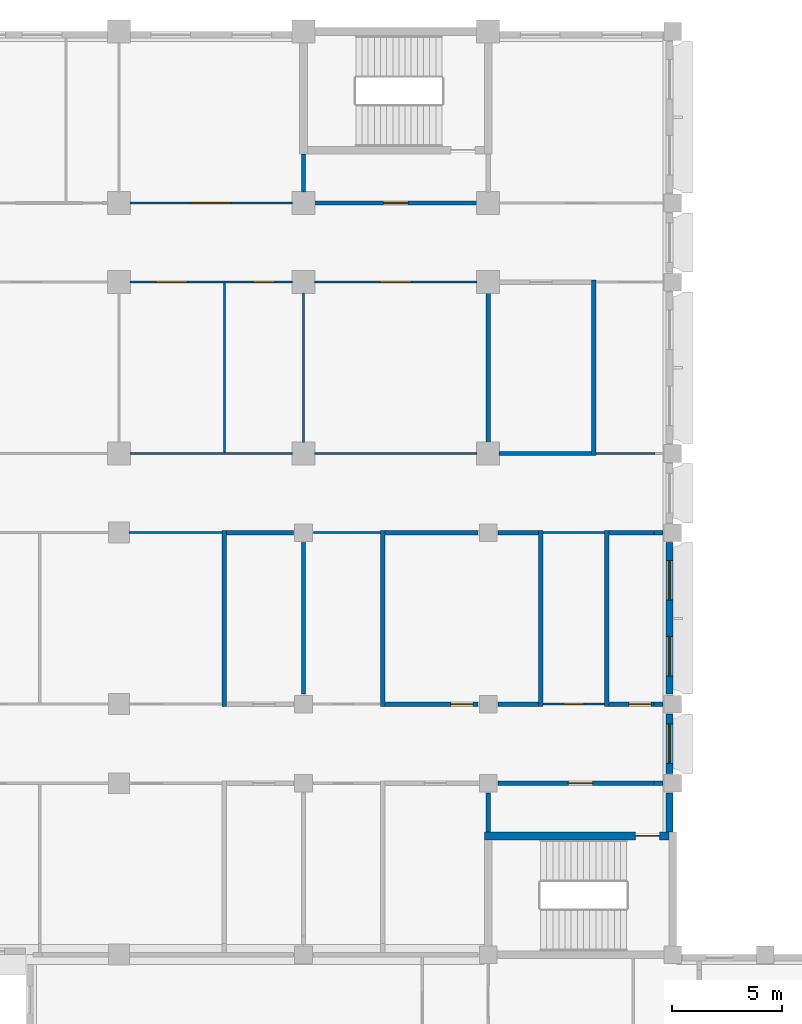
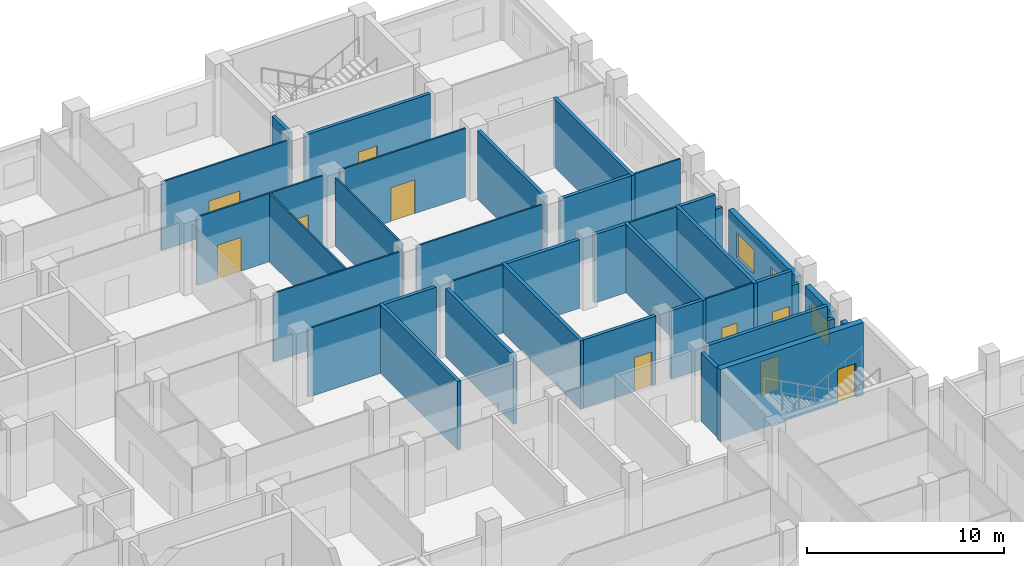
# One storey, part 88 of 136: 38 walls, 10 doors, 3 windows, 13 openings.
"""IFC4 building model written with IfcOpenShell, lengths in metres."""

import ifcopenshell
import ifcopenshell.guid

model = None  # the IFC model being written
_history = None  # IfcOwnerHistory: only IFC2X3 demands one
_inside = {}  # id of a spatial element -> (the spatial element, [elements in it])
_under = {}  # id of a project, library or spatial element -> (it, [spatial elements below it])
_declared = {}  # id of a project -> (the project, [libraries it declares])
_typed = {}  # id of a type object -> (the type object, [elements of that type])
_made_of = {}  # id of a material, layer set ... -> (it, [elements and type objects made of it])


def new_model(schema):
    """Start an empty IFC model of exactly this schema.

    Asked for "IFC4X3", IfcOpenShell would pick the latest addendum, in which some entities
    have other attributes; the version numbers below select the first issue.
    IFC2X3 requires an IfcOwnerHistory on every rooted entity: one is made here for all.
    """
    global model, _history
    if schema == "IFC4X3":
        model = ifcopenshell.file(schema_version=(4, 3, 0, 0))
    else:
        model = ifcopenshell.file(schema=schema)
    _inside.clear()
    _under.clear()
    _declared.clear()
    _typed.clear()
    _made_of.clear()
    _history = None
    if model.schema == "IFC2X3":
        org = make("IfcOrganization", Name="unknown")
        user = make(
            "IfcPersonAndOrganization",
            ThePerson=make("IfcPerson", FamilyName="unknown"),
            TheOrganization=org,
        )
        app = make(
            "IfcApplication",
            ApplicationDeveloper=org,
            Version="unknown",
            ApplicationFullName="unknown",
            ApplicationIdentifier="unknown",
        )
        _history = make(
            "IfcOwnerHistory",
            OwningUser=user,
            OwningApplication=app,
            ChangeAction="ADDED",
            CreationDate=0,
        )
    return model


def make(cls, **values):
    """One entity of the class cls with the attributes given. An attribute that is None is left unset."""
    return model.create_entity(
        cls, **{name: value for name, value in values.items() if value is not None}
    )


def rooted(cls, **values):
    """An entity with a GlobalId (a new one), such as an element, a storey or a relation."""
    return make(cls, GlobalId=ifcopenshell.guid.new(), OwnerHistory=_history, **values)


def si_unit(unit_type, name, prefix=None):
    """IfcSIUnit, for example si_unit("LENGTHUNIT", "METRE", prefix="MILLI")."""
    return make("IfcSIUnit", UnitType=unit_type, Prefix=prefix, Name=name)


def assignment(units):
    """IfcUnitAssignment: the units of a project."""
    return None if units is None else make("IfcUnitAssignment", Units=units)


def point(xyz):
    """IfcCartesianPoint."""
    return None if xyz is None else make("IfcCartesianPoint", Coordinates=xyz)


def direction(xyz):
    """IfcDirection."""
    return None if xyz is None else make("IfcDirection", DirectionRatios=xyz)


def frame(location, z_axis=None, x_axis=None):
    """IfcAxis2Placement3D, a coordinate frame: its origin and axes. An axis left out is left unset."""
    return make(
        "IfcAxis2Placement3D",
        Location=point(location),
        Axis=direction(z_axis),
        RefDirection=direction(x_axis),
    )


def frame_2d(location, x_axis=None):
    """IfcAxis2Placement2D, a coordinate frame in the plane: its origin and x axis."""
    return make(
        "IfcAxis2Placement2D", Location=point(location), RefDirection=direction(x_axis)
    )


def origin():
    """The frame at (0, 0, 0) with its axes left unset."""
    return frame((0.0, 0.0, 0.0))


def place(relative_to, where):
    """IfcLocalPlacement: puts the frame where relative to a parent placement (None: the world)."""
    return make(
        "IfcLocalPlacement", PlacementRelTo=relative_to, RelativePlacement=where
    )


def context(
    kind, dimensions, precision=None, world=None, true_north=None, identifier=None
):
    """IfcGeometricRepresentationContext, for example the 3D "Model" context."""
    return make(
        "IfcGeometricRepresentationContext",
        ContextIdentifier=identifier,
        ContextType=kind,
        CoordinateSpaceDimension=dimensions,
        Precision=precision,
        WorldCoordinateSystem=world,
        TrueNorth=true_north,
    )


def subcontext(parent, identifier, kind, view, scale=None):
    """IfcGeometricRepresentationSubContext, for example "Body" below "Model"."""
    return make(
        "IfcGeometricRepresentationSubContext",
        ContextIdentifier=identifier,
        ContextType=kind,
        ParentContext=parent,
        TargetScale=scale,
        TargetView=view,
    )


def project(units=None, contexts=None):
    """IfcProject with its units and contexts."""
    return rooted(
        "IfcProject",
        Name="project",
        RepresentationContexts=contexts,
        UnitsInContext=assignment(units),
    )


def spatial(cls, under=None, at=None, **own):
    """A site, building, storey or space (cls), placed at a placement, below another one or the project."""
    s = rooted(cls, ObjectPlacement=at, **own)
    if under is not None:
        _under.setdefault(under.id(), (under, []))[1].append(s)
    return s


def profile(cls, at=None, kind="AREA", **sizes):
    """A parametric profile (cls). Its sizes go by their IFC names, for example OverallWidth=200.0."""
    return make(cls, ProfileType=kind, Position=at, **sizes)


def rectangle(**sizes):
    """IfcRectangleProfileDef."""
    return profile("IfcRectangleProfileDef", **sizes)


def extrude(swept, where, along, depth):
    """IfcExtrudedAreaSolid: the profile swept, set in the frame where, extruded along a direction by depth."""
    return make(
        "IfcExtrudedAreaSolid",
        SweptArea=swept,
        Position=where,
        ExtrudedDirection=direction(along),
        Depth=depth,
    )


def shape(context_of_items, identifier, shape_type, items):
    """IfcShapeRepresentation: the items that make up one representation, for example the "Body"."""
    return make(
        "IfcShapeRepresentation",
        ContextOfItems=context_of_items,
        RepresentationIdentifier=identifier,
        RepresentationType=shape_type,
        Items=items,
    )


def material(Name=None, Category=None):
    """IfcMaterial."""
    return make("IfcMaterial", Name=Name, Category=Category)


def layer(
    of_material, thickness, ventilated=None, Name=None, Category=None, Priority=None
):
    """IfcMaterialLayer: one layer of a wall or slab, of a material (None: an air gap)."""
    return make(
        "IfcMaterialLayer",
        Material=of_material,
        LayerThickness=thickness,
        IsVentilated=ventilated,
        Name=Name,
        Category=Category,
        Priority=Priority,
    )


def layer_set(layers, Name=None):
    """IfcMaterialLayerSet."""
    return make("IfcMaterialLayerSet", MaterialLayers=layers, LayerSetName=Name)


def made_of(thing, what):
    """Note that an element or type object is made of a material, layer set ...; save() writes the relation."""
    if what is not None:
        _made_of.setdefault(what.id(), (what, []))[1].append(thing)
    return thing


def type_object(cls, material=None, **own):
    """A type object (cls), such as IfcWallType, which elements share."""
    return made_of(rooted(cls, **own), material)


def element(
    cls,
    number,
    at=None,
    inside=None,
    cuts=None,
    type_object=None,
    material=None,
    context=None,
    identifier="Body",
    shape_type=None,
    held_by="IfcProductDefinitionShape",
    body=None,
    shapes=None,
    **own,
):
    """One element of the class cls, such as IfcWall. Its Tag is "e" and its number.

    at: its placement. inside: the storey or other place that contains it. cuts: it is an
    opening in that element (IfcRelVoidsElement). A single representation is given by context,
    identifier, shape_type and body (its items); several are given by shapes. held_by: the class
    of the entity that holds the representations. save() writes the other relations.
    """
    e = rooted(cls, Tag="e%d" % number, ObjectPlacement=at, **own)
    if body is not None:
        shapes = [shape(context, identifier, shape_type, body)]
    if shapes is not None:
        e.Representation = make(held_by, Representations=shapes)
    if inside is not None:
        _inside.setdefault(inside.id(), (inside, []))[1].append(e)
    if cuts is not None:
        rooted(
            "IfcRelVoidsElement", RelatingBuildingElement=cuts, RelatedOpeningElement=e
        )
    if type_object is not None:
        _typed.setdefault(type_object.id(), (type_object, []))[1].append(e)
    return made_of(e, material)


def fill(opening, filler):
    """IfcRelFillsElement: the door or window that sits in an opening."""
    return rooted(
        "IfcRelFillsElement",
        RelatingOpeningElement=opening,
        RelatedBuildingElement=filler,
    )


def aggregate(whole, parts):
    """IfcRelAggregates: a whole, such as a stair, and the parts it consists of."""
    return rooted("IfcRelAggregates", RelatingObject=whole, RelatedObjects=parts)


def save(model, path):
    """Write the relations noted so far, then the file.

    IfcRelAggregates (storeys below a building ...), IfcRelContainedInSpatialStructure (elements
    in a storey), IfcRelDefinesByType, IfcRelAssociatesMaterial and IfcRelDeclares: one each for
    every whole, place, type object, material and project.
    """
    for whole, parts in _under.values():
        aggregate(whole, parts)
    for where, things in _inside.values():
        rooted(
            "IfcRelContainedInSpatialStructure",
            RelatedElements=things,
            RelatingStructure=where,
        )
    for kind, things in _typed.values():
        rooted("IfcRelDefinesByType", RelatedObjects=things, RelatingType=kind)
    for what, things in _made_of.values():
        rooted("IfcRelAssociatesMaterial", RelatedObjects=things, RelatingMaterial=what)
    for by, libraries in _declared.values():
        rooted("IfcRelDeclares", RelatingContext=by, RelatedDefinitions=libraries)
    model.write(path)


model = new_model("IFC4")

# Units and contexts
model_context = context("Model", 3, precision=1e-05, world=origin(), true_north=direction((0.0, 1.0)))
body_context = subcontext(model_context, "Body", "Model", "MODEL_VIEW")
ifc_project = project(units=[si_unit("LENGTHUNIT", "METRE"), si_unit("AREAUNIT", "SQUARE_METRE"), si_unit("VOLUMEUNIT", "CUBIC_METRE"), si_unit("PLANEANGLEUNIT", "RADIAN"), si_unit("MASSUNIT", "GRAM", prefix="KILO")], contexts=[model_context])

# Site, building, storey
site_placement = place(None, origin())
site = spatial("IfcSite", under=ifc_project, at=site_placement, CompositionType="ELEMENT")
building_placement = place(site_placement, origin())
building = spatial("IfcBuilding", under=site, at=building_placement, Name="Bougainvillea Quay General Hospital", CompositionType="ELEMENT")
storey_placement = place(building_placement, frame((0.0, 0.0, 5.39990234375)))
storey = spatial("IfcBuildingStorey", under=building, at=storey_placement, Name="L01", CompositionType="ELEMENT", Elevation=5.39990234375)

# Wall, opening, window
ifc_material_1 = material(Name="Pale stone rainscreen cladding on insulated masonry backing, pale stone", Category="masonry")
ifc_layer_1 = layer(ifc_material_1, 0.300048828125)
ifc_layer_set_1 = layer_set([ifc_layer_1], Name="Pale stone rainscreen cladding on insulated masonry backing, pale stone")
wall_type_1 = type_object("IfcWallType", Name="External wall pale stone rainscreen 300", PredefinedType="STANDARD", material=ifc_layer_set_1)
wall_1_placement = place(storey_placement, frame((193.050048828125, 125.85009765625, 0.0), z_axis=(0.0, 0.0, 1.0), x_axis=(0.0, 1.0, 0.0)))
wall_1 = element("IfcWall", 1, at=wall_1_placement, inside=storey, type_object=wall_type_1, Name="External wall wall/V4/L01/p0/00b", PredefinedType="STANDARD", context=body_context, shape_type="SweptSolid", body=[
    extrude(rectangle(XDim=2.699951171875, YDim=0.300048828125, at=frame_2d((1.35009765625, 0.0))), origin(), (0.0, 0.0, 1.0), 3.35009765625),
])
opening_1_placement = place(wall_1_placement, frame((0.449951171875, 0.0, 0.89990234375)))
opening_1 = element("IfcOpeningElement", 2, at=opening_1_placement, cuts=wall_1, Name="Opening W1", PredefinedType="OPENING", context=body_context, shape_type="SweptSolid", body=[
    extrude(rectangle(XDim=1.800048828125, YDim=1.5, at=frame_2d((0.89990234375, 0.75))), frame((0.0, 0.159912109375, 0.0), z_axis=(0.0, -1.0, 0.0), x_axis=(1.0, 0.0, 0.0)), (0.0, 0.0, 1.0), 0.320068359375),
])
ifc_material_2 = material(Name="Aluminium window frame with low-e double glazed unit", Category="aluminium")
window_type = type_object("IfcWindowType", Name="Window W1 1800x1500", PartitioningType="DOUBLE_PANEL_VERTICAL", PredefinedType="WINDOW", material=ifc_material_2)
window_1_placement = place(opening_1_placement, origin())
window_1 = element("IfcWindow", 3, at=window_1_placement, inside=storey, type_object=window_type, Name="Window W1 1", OverallHeight=1.5, OverallWidth=1.800048828125, PartitioningType="SINGLE_PANEL", PredefinedType="WINDOW", context=body_context, shape_type="SweptSolid", body=[
    extrude(rectangle(XDim=1.800048828125, YDim=1.5, at=frame_2d((0.89990234375, 0.75))), frame((0.0, 0.030029296875, 0.0), z_axis=(0.0, -1.0, 0.0), x_axis=(1.0, 0.0, 0.0)), (0.0, 0.0, 1.0), 0.06005859375),
])
fill(opening_1, window_1)

# Wall, openings, windows
wall_2_placement = place(storey_placement, frame((193.050048828125, 129.449951171875, 0.0), z_axis=(0.0, 0.0, 1.0), x_axis=(0.0, 1.0, 0.0)))
wall_2 = element("IfcWall", 4, at=wall_2_placement, inside=storey, type_object=wall_type_1, Name="External wall wall/V4/L01/p0/00c", PredefinedType="STANDARD", context=body_context, shape_type="SweptSolid", body=[
    extrude(rectangle(XDim=6.900146484375, YDim=0.300048828125, at=frame_2d((3.4501953125, 0.0))), origin(), (0.0, 0.0, 1.0), 3.35009765625),
])
opening_2_placement = place(wall_2_placement, frame((0.824951171875, 0.0, 0.89990234375)))
opening_2 = element("IfcOpeningElement", 5, at=opening_2_placement, cuts=wall_2, Name="Opening W1", PredefinedType="OPENING", context=body_context, shape_type="SweptSolid", body=[
    extrude(rectangle(XDim=1.800048828125, YDim=1.5, at=frame_2d((0.89990234375, 0.75))), frame((0.0, 0.159912109375, 0.0), z_axis=(0.0, -1.0, 0.0), x_axis=(1.0, 0.0, 0.0)), (0.0, 0.0, 1.0), 0.320068359375),
])
opening_3_placement = place(wall_2_placement, frame((4.27490234375, 0.0, 0.89990234375)))
opening_3 = element("IfcOpeningElement", 6, at=opening_3_placement, cuts=wall_2, Name="Opening W1", PredefinedType="OPENING", context=body_context, shape_type="SweptSolid", body=[
    extrude(rectangle(XDim=1.800048828125, YDim=1.5, at=frame_2d((0.89990234375, 0.75))), frame((0.0, 0.159912109375, 0.0), z_axis=(0.0, -1.0, 0.0), x_axis=(1.0, 0.0, 0.0)), (0.0, 0.0, 1.0), 0.320068359375),
])
window_2_placement = place(opening_2_placement, origin())
window_2 = element("IfcWindow", 7, at=window_2_placement, inside=storey, type_object=window_type, Name="Window W1 1", OverallHeight=1.5, OverallWidth=1.800048828125, PartitioningType="SINGLE_PANEL", PredefinedType="WINDOW", context=body_context, shape_type="SweptSolid", body=[
    extrude(rectangle(XDim=1.800048828125, YDim=1.5, at=frame_2d((0.89990234375, 0.75))), frame((0.0, 0.030029296875, 0.0), z_axis=(0.0, -1.0, 0.0), x_axis=(1.0, 0.0, 0.0)), (0.0, 0.0, 1.0), 0.06005859375),
])
fill(opening_2, window_2)
window_3_placement = place(opening_3_placement, origin())
window_3 = element("IfcWindow", 8, at=window_3_placement, inside=storey, type_object=window_type, Name="Window W1 2", OverallHeight=1.5, OverallWidth=1.800048828125, PartitioningType="SINGLE_PANEL", PredefinedType="WINDOW", context=body_context, shape_type="SweptSolid", body=[
    extrude(rectangle(XDim=1.800048828125, YDim=1.5, at=frame_2d((0.89990234375, 0.75))), frame((0.0, 0.030029296875, 0.0), z_axis=(0.0, -1.0, 0.0), x_axis=(1.0, 0.0, 0.0)), (0.0, 0.0, 1.0), 0.06005859375),
])
fill(opening_3, window_3)

# Walls
ifc_material_3 = material(Name="Terracotta rainscreen cladding on insulated masonry backing, terracotta", Category="masonry")
ifc_layer_2 = layer(ifc_material_3, 0.300048828125)
ifc_layer_set_2 = layer_set([ifc_layer_2], Name="Terracotta rainscreen cladding on insulated masonry backing, terracotta")
wall_type_2 = type_object("IfcWallType", Name="External wall terracotta rainscreen 300", PredefinedType="STANDARD", material=ifc_layer_set_2)
wall_3_placement = place(storey_placement, frame((193.050048828125, 123.175048828125, 0.0), z_axis=(0.0, 0.0, 1.0), x_axis=(0.0, 1.0, 0.0)))
element("IfcWall", 9, at=wall_3_placement, inside=storey, type_object=wall_type_2, Name="External wall wall/V4/L01/p0/00a", PredefinedType="STANDARD", context=body_context, shape_type="SweptSolid", body=[
    extrude(rectangle(XDim=1.77490234375, YDim=0.300048828125, at=frame_2d((0.887451171875, 0.0))), origin(), (0.0, 0.0, 1.0), 3.35009765625),
])
ifc_material_4 = material(Name="Gypsum board partition on steel studs", Category="steel")
ifc_layer_3 = layer(ifc_material_4, 0.10009765625)
ifc_layer_set_3 = layer_set([ifc_layer_3], Name="Gypsum board partition on steel studs")
wall_type_3 = type_object("IfcWallType", Name="Partition 100 Gypsum board partition", PredefinedType="PARTITIONING", material=ifc_layer_set_3)
wall_4_placement = place(storey_placement, frame((184.300048828125, 140.39990234375, 0.0), z_axis=(0.0, 0.0, 1.0), x_axis=(-1.0, 0.0, 0.0)))
element("IfcWall", 10, at=wall_4_placement, inside=storey, type_object=wall_type_3, Name="Partition 100 mm", PredefinedType="PARTITIONING", context=body_context, shape_type="SweptSolid", body=[
    extrude(rectangle(XDim=7.400146484375, YDim=0.10009765625, at=frame_2d((3.7001953125, 0.0))), origin(), (0.0, 0.0, 1.0), 4.25),
])
wall_5_placement = place(storey_placement, frame((175.89990234375, 140.39990234375, 0.0), z_axis=(0.0, 0.0, 1.0), x_axis=(-1.0, 0.0, 0.0)))
element("IfcWall", 11, at=wall_5_placement, inside=storey, type_object=wall_type_3, Name="Partition 100 mm", PredefinedType="PARTITIONING", context=body_context, shape_type="SweptSolid", body=[
    extrude(rectangle(XDim=7.39990234375, YDim=0.10009765625, at=frame_2d((3.699951171875, 0.0))), origin(), (0.0, 0.0, 1.0), 4.25),
])

# Wall, opening, door
wall_6_placement = place(storey_placement, frame((184.300048828125, 148.199951171875, 0.0), z_axis=(0.0, 0.0, 1.0), x_axis=(-1.0, 0.0, 0.0)))
wall_6 = element("IfcWall", 12, at=wall_6_placement, inside=storey, type_object=wall_type_3, Name="Partition 100 mm", PredefinedType="PARTITIONING", context=body_context, shape_type="SweptSolid", body=[
    extrude(rectangle(XDim=7.400146484375, YDim=0.10009765625, at=frame_2d((3.7001953125, 0.0))), origin(), (0.0, 0.0, 1.0), 4.25),
])
opening_4_placement = place(wall_6_placement, frame((3.0, 0.0, 0.0)))
opening_4 = element("IfcOpeningElement", 13, at=opening_4_placement, cuts=wall_6, Name="Opening L01.213", PredefinedType="OPENING", context=body_context, shape_type="SweptSolid", body=[
    extrude(rectangle(XDim=1.39990234375, YDim=2.10009765625, at=frame_2d((0.699951171875, 1.050048828125))), frame((0.0, 0.06005859375, 0.0), z_axis=(0.0, -1.0, 0.0), x_axis=(1.0, 0.0, 0.0)), (0.0, 0.0, 1.0), 0.1201171875),
])
ifc_material_5 = material(Name="Solid-core timber door leaves in steel frame", Category="steel")
door_type_1 = type_object("IfcDoorType", Name="Bed door pair 1400x2100", OperationType="DOUBLE_DOOR_SINGLE_SWING", PredefinedType="DOOR", material=ifc_material_5)
door_1_placement = place(opening_4_placement, origin())
door_1 = element("IfcDoor", 14, at=door_1_placement, inside=storey, type_object=door_type_1, Name="DT09 L01.213", OperationType="DOUBLE_DOOR_SINGLE_SWING", OverallHeight=2.10009765625, OverallWidth=1.39990234375, PredefinedType="DOOR", context=body_context, shape_type="SweptSolid", body=[
    extrude(rectangle(XDim=1.39990234375, YDim=2.10009765625, at=frame_2d((0.699951171875, 1.050048828125))), frame((0.0, 0.02490234375, 0.0), z_axis=(0.0, -1.0, 0.0), x_axis=(1.0, 0.0, 0.0)), (0.0, 0.0, 1.0), 0.050048828125),
])
fill(opening_4, door_1)

# Wall, openings, doors
wall_7_placement = place(storey_placement, frame((175.89990234375, 148.199951171875, 0.0), z_axis=(0.0, 0.0, 1.0), x_axis=(-1.0, 0.0, 0.0)))
wall_7 = element("IfcWall", 15, at=wall_7_placement, inside=storey, type_object=wall_type_3, Name="Partition 100 mm", PredefinedType="PARTITIONING", context=body_context, shape_type="SweptSolid", body=[
    extrude(rectangle(XDim=7.39990234375, YDim=0.10009765625, at=frame_2d((3.699951171875, 0.0))), origin(), (0.0, 0.0, 1.0), 4.25),
])
opening_5_placement = place(wall_7_placement, frame((4.800048828125, 0.0, 0.0)))
opening_5 = element("IfcOpeningElement", 16, at=opening_5_placement, cuts=wall_7, Name="Opening L01.211", PredefinedType="OPENING", context=body_context, shape_type="SweptSolid", body=[
    extrude(rectangle(XDim=1.39990234375, YDim=2.10009765625, at=frame_2d((0.699951171875, 1.050048828125))), frame((0.0, 0.06005859375, 0.0), z_axis=(0.0, -1.0, 0.0), x_axis=(1.0, 0.0, 0.0)), (0.0, 0.0, 1.0), 0.1201171875),
])
opening_6_placement = place(wall_7_placement, frame((0.85009765625, 0.0, 0.0)))
opening_6 = element("IfcOpeningElement", 17, at=opening_6_placement, cuts=wall_7, Name="Opening L01.212", PredefinedType="OPENING", context=body_context, shape_type="SweptSolid", body=[
    extrude(rectangle(XDim=0.89990234375, YDim=2.10009765625, at=frame_2d((0.449951171875, 1.050048828125))), frame((0.0, 0.06005859375, 0.0), z_axis=(0.0, -1.0, 0.0), x_axis=(1.0, 0.0, 0.0)), (0.0, 0.0, 1.0), 0.1201171875),
])
door_2_placement = place(opening_5_placement, origin())
door_2 = element("IfcDoor", 18, at=door_2_placement, inside=storey, type_object=door_type_1, Name="DT09 L01.211", OperationType="DOUBLE_DOOR_SINGLE_SWING", OverallHeight=2.10009765625, OverallWidth=1.39990234375, PredefinedType="DOOR", context=body_context, shape_type="SweptSolid", body=[
    extrude(rectangle(XDim=1.39990234375, YDim=2.10009765625, at=frame_2d((0.699951171875, 1.050048828125))), frame((0.0, 0.02490234375, 0.0), z_axis=(0.0, -1.0, 0.0), x_axis=(1.0, 0.0, 0.0)), (0.0, 0.0, 1.0), 0.050048828125),
])
fill(opening_5, door_2)
ifc_material_6 = material(Name="Solid-core timber door leaf in steel frame", Category="steel")
door_type_2 = type_object("IfcDoorType", Name="Single leaf door 900x2100", OperationType="NOTDEFINED", PredefinedType="DOOR", material=ifc_material_6)
door_3_placement = place(opening_6_placement, origin())
door_3 = element("IfcDoor", 19, at=door_3_placement, inside=storey, type_object=door_type_2, Name="DT07 L01.212", OperationType="SINGLE_SWING_LEFT", OverallHeight=2.10009765625, OverallWidth=0.89990234375, PredefinedType="DOOR", context=body_context, shape_type="SweptSolid", body=[
    extrude(rectangle(XDim=0.89990234375, YDim=2.10009765625, at=frame_2d((0.449951171875, 1.050048828125))), frame((0.0, 0.02490234375, 0.0), z_axis=(0.0, -1.0, 0.0), x_axis=(1.0, 0.0, 0.0)), (0.0, 0.0, 1.0), 0.050048828125),
])
fill(opening_6, door_3)

# Wall, opening, door
wall_8_placement = place(storey_placement, frame((175.89990234375, 151.800048828125, 0.0), z_axis=(0.0, 0.0, 1.0), x_axis=(-1.0, 0.0, 0.0)))
wall_8 = element("IfcWall", 20, at=wall_8_placement, inside=storey, type_object=wall_type_3, Name="Partition 100 mm", PredefinedType="PARTITIONING", context=body_context, shape_type="SweptSolid", body=[
    extrude(rectangle(XDim=7.39990234375, YDim=0.10009765625, at=frame_2d((3.699951171875, 0.0))), origin(), (0.0, 0.0, 1.0), 4.25),
])
opening_7_placement = place(wall_8_placement, frame((2.802001953125, 0.0, 0.0)))
opening_7 = element("IfcOpeningElement", 21, at=opening_7_placement, cuts=wall_8, Name="Opening L01.218", PredefinedType="OPENING", context=body_context, shape_type="SweptSolid", body=[
    extrude(rectangle(XDim=1.800048828125, YDim=2.10009765625, at=frame_2d((0.89990234375, 1.050048828125))), frame((0.0, 0.06005859375, 0.0), z_axis=(0.0, -1.0, 0.0), x_axis=(1.0, 0.0, 0.0)), (0.0, 0.0, 1.0), 0.1201171875),
])
door_type_3 = type_object("IfcDoorType", Name="Double leaf door 1800x2100", OperationType="DOUBLE_DOOR_SINGLE_SWING", PredefinedType="DOOR", material=ifc_material_5)
door_4_placement = place(opening_7_placement, frame((1.800048828125, 0.0, 0.0), z_axis=(0.0, 0.0, 1.0), x_axis=(-1.0, 0.0, 0.0)))
door_4 = element("IfcDoor", 22, at=door_4_placement, inside=storey, type_object=door_type_3, Name="DT08 L01.218", OperationType="DOUBLE_DOOR_SINGLE_SWING", OverallHeight=2.10009765625, OverallWidth=1.800048828125, PredefinedType="DOOR", context=body_context, shape_type="SweptSolid", body=[
    extrude(rectangle(XDim=1.800048828125, YDim=2.10009765625, at=frame_2d((0.89990234375, 1.050048828125))), frame((0.0, 0.02490234375, 0.0), z_axis=(0.0, -1.0, 0.0), x_axis=(1.0, 0.0, 0.0)), (0.0, 0.0, 1.0), 0.050048828125),
])
fill(opening_7, door_4)

# Walls
wall_9_placement = place(storey_placement, frame((172.699951171875, 136.800048828125, 0.0), z_axis=(0.0, 0.0, 1.0), x_axis=(-1.0, 0.0, 0.0)))
element("IfcWall", 23, at=wall_9_placement, inside=storey, type_object=wall_type_3, Name="Partition 100 mm", PredefinedType="PARTITIONING", context=body_context, shape_type="SweptSolid", body=[
    extrude(rectangle(XDim=4.25, YDim=0.10009765625, at=frame_2d((2.125, 0.0))), origin(), (0.0, 0.0, 1.0), 4.25),
])
wall_10_placement = place(storey_placement, frame((172.800048828125, 140.449951171875, 0.0), z_axis=(0.0, 0.0, 1.0), x_axis=(0.0, 1.0, 0.0)))
element("IfcWall", 24, at=wall_10_placement, inside=storey, type_object=wall_type_3, Name="Partition 100 mm", PredefinedType="PARTITIONING", context=body_context, shape_type="SweptSolid", body=[
    extrude(rectangle(XDim=7.699951171875, YDim=0.10009765625, at=frame_2d((3.85009765625, 0.0))), origin(), (0.0, 0.0, 1.0), 4.25),
])
wall_11_placement = place(storey_placement, frame((176.39990234375, 140.89990234375, 0.0), z_axis=(0.0, 0.0, 1.0), x_axis=(0.0, 1.0, 0.0)))
element("IfcWall", 25, at=wall_11_placement, inside=storey, type_object=wall_type_3, Name="Partition 100 mm", PredefinedType="PARTITIONING", context=body_context, shape_type="SweptSolid", body=[
    extrude(rectangle(XDim=6.800048828125, YDim=0.10009765625, at=frame_2d((3.39990234375, 0.0))), origin(), (0.0, 0.0, 1.0), 4.25),
])
wall_12_placement = place(storey_placement, frame((176.85009765625, 136.800048828125, 0.0), z_axis=(0.0, 0.0, 1.0), x_axis=(1.0, 0.0, 0.0)))
element("IfcWall", 26, at=wall_12_placement, inside=storey, type_object=wall_type_3, Name="Partition 100 mm", PredefinedType="PARTITIONING", context=body_context, shape_type="SweptSolid", body=[
    extrude(rectangle(XDim=3.0498046875, YDim=0.10009765625, at=frame_2d((1.52490234375, 0.0))), origin(), (0.0, 0.0, 1.0), 4.25),
])
wall_13_placement = place(storey_placement, frame((189.699951171875, 140.39990234375, 0.0), z_axis=(0.0, 0.0, 1.0), x_axis=(1.0, 0.0, 0.0)))
element("IfcWall", 27, at=wall_13_placement, inside=storey, type_object=wall_type_3, Name="Partition 100 mm", PredefinedType="PARTITIONING", context=body_context, shape_type="SweptSolid", body=[
    extrude(rectangle(XDim=2.699951171875, YDim=0.10009765625, at=frame_2d((1.35009765625, 0.0))), origin(), (0.0, 0.0, 1.0), 4.25),
])

# Wall, opening, door
wall_14_placement = place(storey_placement, frame((187.300048828125, 129.0, 0.0), z_axis=(0.0, 0.0, 1.0), x_axis=(1.0, 0.0, 0.0)))
wall_14 = element("IfcWall", 28, at=wall_14_placement, inside=storey, type_object=wall_type_3, Name="Partition 100 mm", PredefinedType="PARTITIONING", context=body_context, shape_type="SweptSolid", body=[
    extrude(rectangle(XDim=2.800048828125, YDim=0.10009765625, at=frame_2d((1.39990234375, 0.0))), origin(), (0.0, 0.0, 1.0), 4.25),
])
opening_8_placement = place(wall_14_placement, frame((0.949951171875, 0.0, 0.0)))
opening_8 = element("IfcOpeningElement", 29, at=opening_8_placement, cuts=wall_14, Name="Opening L01.179", PredefinedType="OPENING", context=body_context, shape_type="SweptSolid", body=[
    extrude(rectangle(XDim=0.89990234375, YDim=2.10009765625, at=frame_2d((0.449951171875, 1.050048828125))), frame((0.0, 0.06005859375, 0.0), z_axis=(0.0, -1.0, 0.0), x_axis=(1.0, 0.0, 0.0)), (0.0, 0.0, 1.0), 0.1201171875),
])
door_5_placement = place(opening_8_placement, origin())
door_5 = element("IfcDoor", 30, at=door_5_placement, inside=storey, type_object=door_type_2, Name="DT07 L01.179", OperationType="SINGLE_SWING_RIGHT", OverallHeight=2.10009765625, OverallWidth=0.89990234375, PredefinedType="DOOR", context=body_context, shape_type="SweptSolid", body=[
    extrude(rectangle(XDim=0.89990234375, YDim=2.10009765625, at=frame_2d((0.449951171875, 1.050048828125))), frame((0.0, 0.02490234375, 0.0), z_axis=(0.0, -1.0, 0.0), x_axis=(1.0, 0.0, 0.0)), (0.0, 0.0, 1.0), 0.050048828125),
])
fill(opening_8, door_5)

# Wall
wall_15_placement = place(storey_placement, frame((187.300048828125, 136.800048828125, 0.0), z_axis=(0.0, 0.0, 1.0), x_axis=(1.0, 0.0, 0.0)))
element("IfcWall", 31, at=wall_15_placement, inside=storey, type_object=wall_type_3, Name="Partition 100 mm", PredefinedType="PARTITIONING", context=body_context, shape_type="SweptSolid", body=[
    extrude(rectangle(XDim=2.800048828125, YDim=0.10009765625, at=frame_2d((1.39990234375, 0.0))), origin(), (0.0, 0.0, 1.0), 4.25),
])

# Wall, opening, door
ifc_material_7 = material(Name="Fire-rated autoclaved aerated block wall, plastered")
ifc_layer_4 = layer(ifc_material_7, 0.199951171875)
ifc_layer_set_4 = layer_set([ifc_layer_4], Name="Fire-rated autoclaved aerated block wall, plastered")
wall_type_4 = type_object("IfcWallType", Name="Partition 200 Fire-rated autoclaved aerated block wall EI 120", PredefinedType="SOLIDWALL", material=ifc_layer_set_4)
wall_16_placement = place(storey_placement, frame((176.89990234375, 151.800048828125, 0.0), z_axis=(0.0, 0.0, 1.0), x_axis=(1.0, 0.0, 0.0)))
wall_16 = element("IfcWall", 32, at=wall_16_placement, inside=storey, type_object=wall_type_4, Name="Partition 200 mm EI 120", PredefinedType="SOLIDWALL", context=body_context, shape_type="SweptSolid", body=[
    extrude(rectangle(XDim=7.400146484375, YDim=0.199951171875, at=frame_2d((3.7001953125, 0.0))), origin(), (0.0, 0.0, 1.0), 4.25),
])
opening_9_placement = place(wall_16_placement, frame((3.14990234375, 0.0, 0.0)))
opening_9 = element("IfcOpeningElement", 33, at=opening_9_placement, cuts=wall_16, Name="Opening L01.038", PredefinedType="OPENING", context=body_context, shape_type="SweptSolid", body=[
    extrude(rectangle(XDim=1.10009765625, YDim=2.10009765625, at=frame_2d((0.550048828125, 1.050048828125))), frame((0.0, 0.10986328125, 0.0), z_axis=(0.0, -1.0, 0.0), x_axis=(1.0, 0.0, 0.0)), (0.0, 0.0, 1.0), 0.219970703125),
])
ifc_material_8 = material(Name="Steel fire door leaf in steel frame", Category="steel")
door_type_4 = type_object("IfcDoorType", Name="Steel single leaf door 1100x2100 FD60", OperationType="NOTDEFINED", PredefinedType="DOOR", material=ifc_material_8)
door_6_placement = place(opening_9_placement, origin())
door_6 = element("IfcDoor", 34, at=door_6_placement, inside=storey, type_object=door_type_4, Name="DT04 L01.038", OperationType="SINGLE_SWING_RIGHT", OverallHeight=2.10009765625, OverallWidth=1.10009765625, PredefinedType="DOOR", context=body_context, shape_type="SweptSolid", body=[
    extrude(rectangle(XDim=1.10009765625, YDim=2.10009765625, at=frame_2d((0.550048828125, 1.050048828125))), frame((0.0, 0.02490234375, 0.0), z_axis=(0.0, -1.0, 0.0), x_axis=(1.0, 0.0, 0.0)), (0.0, 0.0, 1.0), 0.050048828125),
])
fill(opening_9, door_6)

wall_17_placement = place(storey_placement, frame((185.25, 125.39990234375, 0.0), z_axis=(0.0, 0.0, 1.0), x_axis=(1.0, 0.0, 0.0)))
wall_17 = element("IfcWall", 35, at=wall_17_placement, inside=storey, type_object=wall_type_4, Name="Partition 200 mm EI 120", PredefinedType="SOLIDWALL", context=body_context, shape_type="SweptSolid", body=[
    extrude(rectangle(XDim=7.10009765625, YDim=0.199951171875, at=frame_2d((3.550048828125, 0.0))), origin(), (0.0, 0.0, 1.0), 4.25),
])
opening_10_placement = place(wall_17_placement, frame((3.199951171875, 0.0, 0.0)))
opening_10 = element("IfcOpeningElement", 36, at=opening_10_placement, cuts=wall_17, Name="Opening L01.046", PredefinedType="OPENING", context=body_context, shape_type="SweptSolid", body=[
    extrude(rectangle(XDim=1.10009765625, YDim=2.10009765625, at=frame_2d((0.550048828125, 1.050048828125))), frame((0.0, 0.10986328125, 0.0), z_axis=(0.0, -1.0, 0.0), x_axis=(1.0, 0.0, 0.0)), (0.0, 0.0, 1.0), 0.219970703125),
])
door_7_placement = place(opening_10_placement, frame((1.10009765625, 0.0, 0.0), z_axis=(0.0, 0.0, 1.0), x_axis=(-1.0, 0.0, 0.0)))
door_7 = element("IfcDoor", 37, at=door_7_placement, inside=storey, type_object=door_type_4, Name="DT04 L01.046", OperationType="SINGLE_SWING_LEFT", OverallHeight=2.10009765625, OverallWidth=1.10009765625, PredefinedType="DOOR", context=body_context, shape_type="SweptSolid", body=[
    extrude(rectangle(XDim=1.10009765625, YDim=2.10009765625, at=frame_2d((0.550048828125, 1.050048828125))), frame((0.0, 0.02490234375, 0.0), z_axis=(0.0, -1.0, 0.0), x_axis=(1.0, 0.0, 0.0)), (0.0, 0.0, 1.0), 0.050048828125),
])
fill(opening_10, door_7)

# Walls
wall_18_placement = place(storey_placement, frame((192.35009765625, 125.39990234375, 0.0), z_axis=(0.0, 0.0, 1.0), x_axis=(1.0, 0.0, 0.0)))
element("IfcWall", 38, at=wall_18_placement, inside=storey, type_object=wall_type_4, Name="Partition 200 mm EI 120", PredefinedType="SOLIDWALL", context=body_context, shape_type="SweptSolid", body=[
    extrude(rectangle(XDim=0.39990234375, YDim=0.199951171875, at=frame_2d((0.199951171875, 0.0))), origin(), (0.0, 0.0, 1.0), 3.330078125),
])
wall_19_placement = place(storey_placement, frame((184.800048828125, 123.175048828125, 0.0), z_axis=(0.0, 0.0, 1.0), x_axis=(0.0, 1.0, 0.0)))
element("IfcWall", 39, at=wall_19_placement, inside=storey, type_object=wall_type_4, Name="Partition 200 mm EI 120", PredefinedType="SOLIDWALL", context=body_context, shape_type="SweptSolid", body=[
    extrude(rectangle(XDim=1.77490234375, YDim=0.199951171875, at=frame_2d((0.887451171875, 0.0))), origin(), (0.0, 0.0, 1.0), 4.25),
])
wall_20_placement = place(storey_placement, frame((176.39990234375, 152.300048828125, 0.0), z_axis=(0.0, 0.0, 1.0), x_axis=(0.0, 1.0, 0.0)))
element("IfcWall", 40, at=wall_20_placement, inside=storey, type_object=wall_type_4, Name="Partition 200 mm EI 120", PredefinedType="SOLIDWALL", context=body_context, shape_type="SweptSolid", body=[
    extrude(rectangle(XDim=1.724853515625, YDim=0.199951171875, at=frame_2d((0.8623046875, 0.0))), origin(), (0.0, 0.0, 1.0), 4.25),
])
ifc_layer_5 = layer(ifc_material_7, 0.199951171875)
ifc_layer_set_5 = layer_set([ifc_layer_5], Name="Fire-rated autoclaved aerated block wall, plastered")
wall_type_5 = type_object("IfcWallType", Name="Partition 200 Fire-rated autoclaved aerated block wall EI 60", PredefinedType="SOLIDWALL", material=ifc_layer_set_5)
wall_21_placement = place(storey_placement, frame((172.800048828125, 128.89990234375, 0.0), z_axis=(0.0, 0.0, 1.0), x_axis=(0.0, 1.0, 0.0)))
element("IfcWall", 41, at=wall_21_placement, inside=storey, type_object=wall_type_5, Name="Partition 200 mm EI 60", PredefinedType="SOLIDWALL", context=body_context, shape_type="SweptSolid", body=[
    extrude(rectangle(XDim=8.0, YDim=0.199951171875, at=frame_2d((4.0, 0.0))), origin(), (0.0, 0.0, 1.0), 4.25),
])
wall_22_placement = place(storey_placement, frame((176.39990234375, 129.449951171875, 0.0), z_axis=(0.0, 0.0, 1.0), x_axis=(0.0, 1.0, 0.0)))
element("IfcWall", 42, at=wall_22_placement, inside=storey, type_object=wall_type_5, Name="Partition 200 mm EI 60", PredefinedType="SOLIDWALL", context=body_context, shape_type="SweptSolid", body=[
    extrude(rectangle(XDim=6.900146484375, YDim=0.199951171875, at=frame_2d((3.4501953125, 0.0))), origin(), (0.0, 0.0, 1.0), 4.25),
])
for number, where, z_axis, x_axis, name in (
    (43, (180.0, 128.89990234375, 0.0), (0.0, 0.0, 1.0), (0.0, 1.0, 0.0), "Partition 200 mm EI 60"),
    (44, (187.199951171875, 128.89990234375, 0.0), (0.0, 0.0, 1.0), (0.0, 1.0, 0.0), "Partition 200 mm EI 60"),
    (45, (190.199951171875, 128.89990234375, 0.0), (0.0, 0.0, 1.0), (0.0, 1.0, 0.0), "Partition 200 mm EI 60"),
):
    element("IfcWall", number, at=place(storey_placement, frame(where, z_axis=z_axis, x_axis=x_axis)), inside=storey, type_object=wall_type_5, Name=name, PredefinedType="SOLIDWALL", context=body_context, shape_type="SweptSolid", body=[
        extrude(rectangle(XDim=8.0, YDim=0.199951171875, at=frame_2d((4.0, 0.0))), origin(), (0.0, 0.0, 1.0), 4.25),
    ])
wall_23_placement = place(storey_placement, frame((184.800048828125, 140.89990234375, 0.0), z_axis=(0.0, 0.0, 1.0), x_axis=(0.0, 1.0, 0.0)))
element("IfcWall", 46, at=wall_23_placement, inside=storey, type_object=wall_type_5, Name="Partition 200 mm EI 60", PredefinedType="SOLIDWALL", context=body_context, shape_type="SweptSolid", body=[
    extrude(rectangle(XDim=6.800048828125, YDim=0.199951171875, at=frame_2d((3.39990234375, 0.0))), origin(), (0.0, 0.0, 1.0), 4.25),
])
wall_24_placement = place(storey_placement, frame((189.60009765625, 140.300048828125, 0.0), z_axis=(0.0, 0.0, 1.0), x_axis=(0.0, 1.0, 0.0)))
element("IfcWall", 47, at=wall_24_placement, inside=storey, type_object=wall_type_5, Name="Partition 200 mm EI 60", PredefinedType="SOLIDWALL", context=body_context, shape_type="SweptSolid", body=[
    extrude(rectangle(XDim=8.0, YDim=0.199951171875, at=frame_2d((4.0, 0.0))), origin(), (0.0, 0.0, 1.0), 4.25),
])

# Wall, opening, door
wall_25_placement = place(storey_placement, frame((180.10009765625, 129.0, 0.0), z_axis=(0.0, 0.0, 1.0), x_axis=(1.0, 0.0, 0.0)))
wall_25 = element("IfcWall", 48, at=wall_25_placement, inside=storey, type_object=wall_type_5, Name="Partition 200 mm EI 60", PredefinedType="SOLIDWALL", context=body_context, shape_type="SweptSolid", body=[
    extrude(rectangle(XDim=4.25, YDim=0.199951171875, at=frame_2d((2.125, 0.0))), origin(), (0.0, 0.0, 1.0), 4.25),
])
opening_11_placement = place(wall_25_placement, frame((3.0, 0.0, 0.0)))
opening_11 = element("IfcOpeningElement", 49, at=opening_11_placement, cuts=wall_25, Name="Opening L01.178", PredefinedType="OPENING", context=body_context, shape_type="SweptSolid", body=[
    extrude(rectangle(XDim=1.0, YDim=2.10009765625, at=frame_2d((0.5, 1.050048828125))), frame((0.0, 0.10986328125, 0.0), z_axis=(0.0, -1.0, 0.0), x_axis=(1.0, 0.0, 0.0)), (0.0, 0.0, 1.0), 0.219970703125),
])
door_type_5 = type_object("IfcDoorType", Name="Steel single leaf door 1000x2100 FD60", OperationType="NOTDEFINED", PredefinedType="DOOR", material=ifc_material_8)
door_8_placement = place(opening_11_placement, origin())
door_8 = element("IfcDoor", 50, at=door_8_placement, inside=storey, type_object=door_type_5, Name="DT10 L01.178", OperationType="SINGLE_SWING_RIGHT", OverallHeight=2.10009765625, OverallWidth=1.0, PredefinedType="DOOR", context=body_context, shape_type="SweptSolid", body=[
    extrude(rectangle(XDim=1.0, YDim=2.10009765625, at=frame_2d((0.5, 1.050048828125))), frame((0.0, 0.02490234375, 0.0), z_axis=(0.0, -1.0, 0.0), x_axis=(1.0, 0.0, 0.0)), (0.0, 0.0, 1.0), 0.050048828125),
])
fill(opening_11, door_8)

# Walls
wall_26_placement = place(storey_placement, frame((185.25, 129.0, 0.0), z_axis=(0.0, 0.0, 1.0), x_axis=(1.0, 0.0, 0.0)))
element("IfcWall", 51, at=wall_26_placement, inside=storey, type_object=wall_type_5, Name="Partition 200 mm EI 60", PredefinedType="SOLIDWALL", context=body_context, shape_type="SweptSolid", body=[
    extrude(rectangle(XDim=1.85009765625, YDim=0.199951171875, at=frame_2d((0.925048828125, 0.0))), origin(), (0.0, 0.0, 1.0), 4.25),
])
wall_27_placement = place(storey_placement, frame((180.10009765625, 136.800048828125, 0.0), z_axis=(0.0, 0.0, 1.0), x_axis=(1.0, 0.0, 0.0)))
element("IfcWall", 52, at=wall_27_placement, inside=storey, type_object=wall_type_5, Name="Partition 200 mm EI 60", PredefinedType="SOLIDWALL", context=body_context, shape_type="SweptSolid", body=[
    extrude(rectangle(XDim=4.25, YDim=0.199951171875, at=frame_2d((2.125, 0.0))), origin(), (0.0, 0.0, 1.0), 4.25),
])
wall_28_placement = place(storey_placement, frame((185.25, 136.800048828125, 0.0), z_axis=(0.0, 0.0, 1.0), x_axis=(1.0, 0.0, 0.0)))
element("IfcWall", 53, at=wall_28_placement, inside=storey, type_object=wall_type_5, Name="Partition 200 mm EI 60", PredefinedType="SOLIDWALL", context=body_context, shape_type="SweptSolid", body=[
    extrude(rectangle(XDim=1.85009765625, YDim=0.199951171875, at=frame_2d((0.925048828125, 0.0))), origin(), (0.0, 0.0, 1.0), 4.25),
])
wall_29_placement = place(storey_placement, frame((185.300048828125, 140.39990234375, 0.0), z_axis=(0.0, 0.0, 1.0), x_axis=(1.0, 0.0, 0.0)))
element("IfcWall", 54, at=wall_29_placement, inside=storey, type_object=wall_type_5, Name="Partition 200 mm EI 60", PredefinedType="SOLIDWALL", context=body_context, shape_type="SweptSolid", body=[
    extrude(rectangle(XDim=4.199951171875, YDim=0.199951171875, at=frame_2d((2.10009765625, 0.0))), origin(), (0.0, 0.0, 1.0), 4.25),
])
wall_30_placement = place(storey_placement, frame((172.89990234375, 136.800048828125, 0.0), z_axis=(0.0, 0.0, 1.0), x_axis=(1.0, 0.0, 0.0)))
element("IfcWall", 55, at=wall_30_placement, inside=storey, type_object=wall_type_5, Name="Partition 200 mm EI 60", PredefinedType="SOLIDWALL", context=body_context, shape_type="SweptSolid", body=[
    extrude(rectangle(XDim=3.050048828125, YDim=0.199951171875, at=frame_2d((1.52490234375, 0.0))), origin(), (0.0, 0.0, 1.0), 4.25),
])

# Wall, opening, door
wall_31_placement = place(storey_placement, frame((190.300048828125, 129.0, 0.0), z_axis=(0.0, 0.0, 1.0), x_axis=(1.0, 0.0, 0.0)))
wall_31 = element("IfcWall", 56, at=wall_31_placement, inside=storey, type_object=wall_type_5, Name="Partition 200 mm EI 60", PredefinedType="SOLIDWALL", context=body_context, shape_type="SweptSolid", body=[
    extrude(rectangle(XDim=2.050048828125, YDim=0.199951171875, at=frame_2d((1.02490234375, 0.0))), origin(), (0.0, 0.0, 1.0), 4.25),
])
opening_12_placement = place(wall_31_placement, frame((0.89990234375, 0.0, 0.0)))
opening_12 = element("IfcOpeningElement", 57, at=opening_12_placement, cuts=wall_31, Name="Opening L01.180", PredefinedType="OPENING", context=body_context, shape_type="SweptSolid", body=[
    extrude(rectangle(XDim=1.0, YDim=2.10009765625, at=frame_2d((0.5, 1.050048828125))), frame((0.0, 0.10986328125, 0.0), z_axis=(0.0, -1.0, 0.0), x_axis=(1.0, 0.0, 0.0)), (0.0, 0.0, 1.0), 0.219970703125),
])
door_9_placement = place(opening_12_placement, origin())
door_9 = element("IfcDoor", 58, at=door_9_placement, inside=storey, type_object=door_type_5, Name="DT10 L01.180", OperationType="SINGLE_SWING_RIGHT", OverallHeight=2.10009765625, OverallWidth=1.0, PredefinedType="DOOR", context=body_context, shape_type="SweptSolid", body=[
    extrude(rectangle(XDim=1.0, YDim=2.10009765625, at=frame_2d((0.5, 1.050048828125))), frame((0.0, 0.02490234375, 0.0), z_axis=(0.0, -1.0, 0.0), x_axis=(1.0, 0.0, 0.0)), (0.0, 0.0, 1.0), 0.050048828125),
])
fill(opening_12, door_9)

# Walls
wall_32_placement = place(storey_placement, frame((192.35009765625, 129.0, 0.0), z_axis=(0.0, 0.0, 1.0), x_axis=(1.0, 0.0, 0.0)))
element("IfcWall", 59, at=wall_32_placement, inside=storey, type_object=wall_type_5, Name="Partition 200 mm EI 60", PredefinedType="SOLIDWALL", context=body_context, shape_type="SweptSolid", body=[
    extrude(rectangle(XDim=0.39990234375, YDim=0.199951171875, at=frame_2d((0.199951171875, 0.0))), origin(), (0.0, 0.0, 1.0), 3.330078125),
])
wall_33_placement = place(storey_placement, frame((190.300048828125, 136.800048828125, 0.0), z_axis=(0.0, 0.0, 1.0), x_axis=(1.0, 0.0, 0.0)))
element("IfcWall", 60, at=wall_33_placement, inside=storey, type_object=wall_type_5, Name="Partition 200 mm EI 60", PredefinedType="SOLIDWALL", context=body_context, shape_type="SweptSolid", body=[
    extrude(rectangle(XDim=2.050048828125, YDim=0.199951171875, at=frame_2d((1.02490234375, 0.0))), origin(), (0.0, 0.0, 1.0), 4.25),
])
wall_34_placement = place(storey_placement, frame((192.35009765625, 136.800048828125, 0.0), z_axis=(0.0, 0.0, 1.0), x_axis=(1.0, 0.0, 0.0)))
element("IfcWall", 61, at=wall_34_placement, inside=storey, type_object=wall_type_5, Name="Partition 200 mm EI 60", PredefinedType="SOLIDWALL", context=body_context, shape_type="SweptSolid", body=[
    extrude(rectangle(XDim=0.39990234375, YDim=0.199951171875, at=frame_2d((0.199951171875, 0.0))), origin(), (0.0, 0.0, 1.0), 3.330078125),
])

# Wall, opening, door
ifc_material_9 = material(Name="Concrete C40", Category="concrete")
ifc_layer_6 = layer(ifc_material_9, 0.35009765625)
ifc_layer_set_6 = layer_set([ifc_layer_6], Name="Concrete C40")
wall_type_6 = type_object("IfcWallType", Name="RC SHEAR WALL 350 C40", PredefinedType="SHEAR", material=ifc_layer_set_6)
wall_35_placement = place(storey_placement, frame((184.625, 123.0, 0.0), z_axis=(0.0, 0.0, 1.0), x_axis=(1.0, 0.0, 0.0)))
wall_35 = element("IfcWall", 62, at=wall_35_placement, inside=storey, type_object=wall_type_6, Name="Shear wall L01", PredefinedType="SHEAR", context=body_context, shape_type="SweptSolid", body=[
    extrude(rectangle(XDim=8.39990234375, YDim=0.35009765625, at=frame_2d((4.199951171875, 0.0))), origin(), (0.0, 0.0, 1.0), 4.5),
])
opening_13_placement = place(wall_35_placement, frame((6.875, 0.0, 0.0)))
opening_13 = element("IfcOpeningElement", 63, at=opening_13_placement, cuts=wall_35, Name="Opening L01.030", PredefinedType="OPENING", context=body_context, shape_type="SweptSolid", body=[
    extrude(rectangle(XDim=1.10009765625, YDim=2.10009765625, at=frame_2d((0.550048828125, 1.050048828125))), frame((0.0, 0.18505859375, 0.0), z_axis=(0.0, -1.0, 0.0), x_axis=(1.0, 0.0, 0.0)), (0.0, 0.0, 1.0), 0.3701171875),
])
door_10_placement = place(opening_13_placement, frame((1.10009765625, 0.0, 0.0), z_axis=(0.0, 0.0, 1.0), x_axis=(-1.0, 0.0, 0.0)))
door_10 = element("IfcDoor", 64, at=door_10_placement, inside=storey, type_object=door_type_4, Name="DT04 L01.030", OperationType="SINGLE_SWING_LEFT", OverallHeight=2.10009765625, OverallWidth=1.10009765625, PredefinedType="DOOR", context=body_context, shape_type="SweptSolid", body=[
    extrude(rectangle(XDim=1.10009765625, YDim=2.10009765625, at=frame_2d((0.550048828125, 1.050048828125))), frame((0.0, 0.02490234375, 0.0), z_axis=(0.0, -1.0, 0.0), x_axis=(1.0, 0.0, 0.0)), (0.0, 0.0, 1.0), 0.050048828125),
])
fill(opening_13, door_10)

save(model, "model.ifc")
